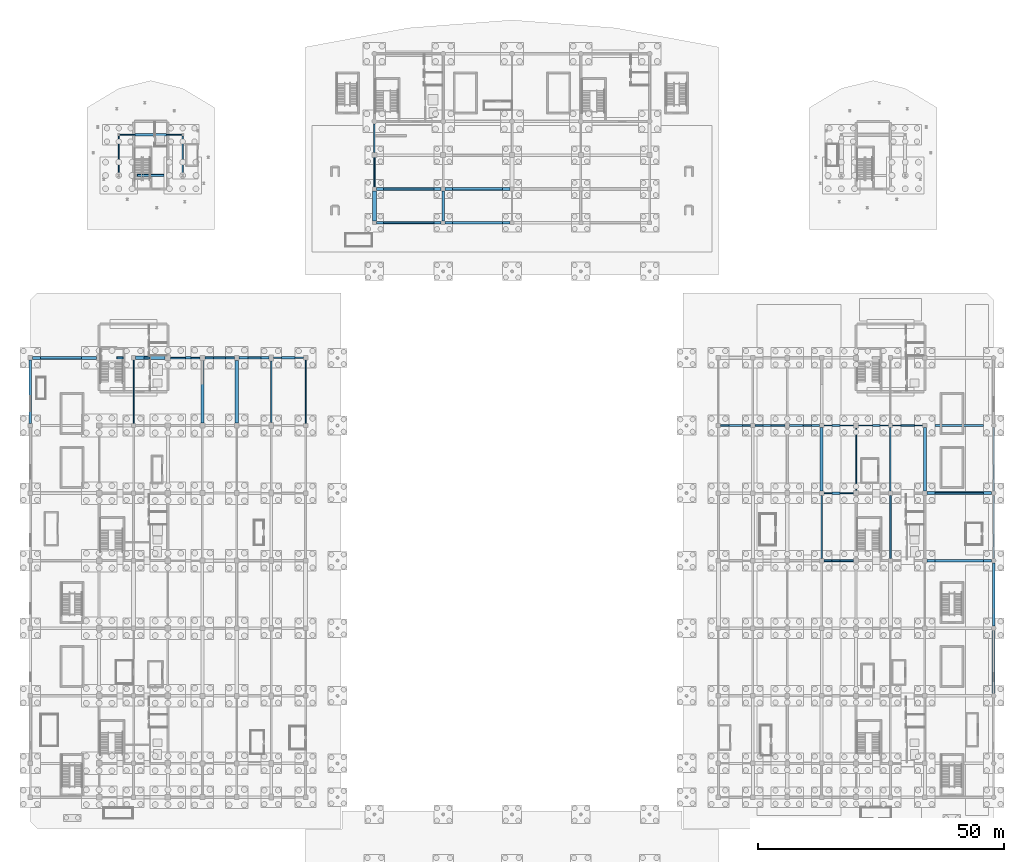
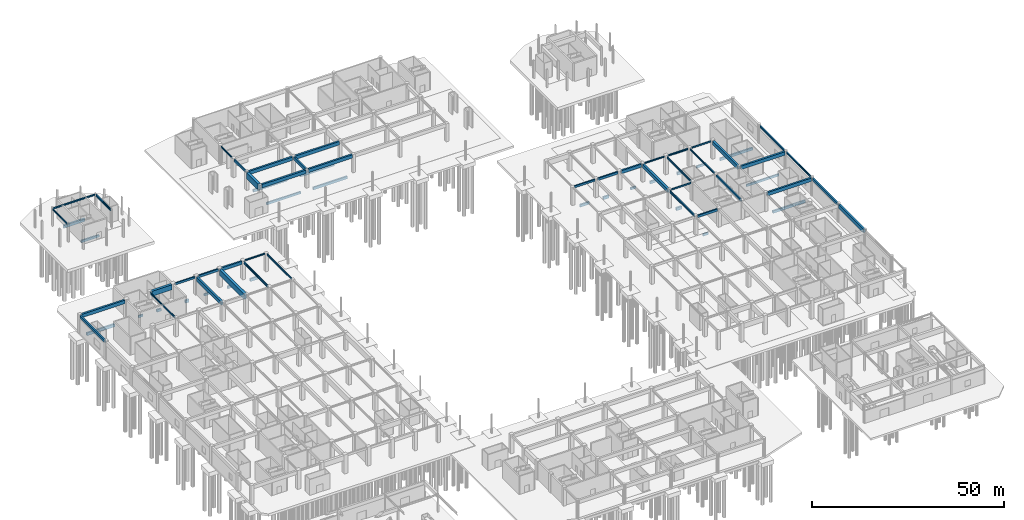
# One storey, part 34 of 62: 67 beams.
"""IFC4 building model written with IfcOpenShell, lengths in metres."""

from ifc_helpers import new_model, si_unit, direction, frame, origin, origin_2d, place, context, subcontext, project, spatial, rectangle, i_section, extrude, material, material_profile, profile_set, type_object, element, save


model = new_model("IFC4")

# Units and contexts
model_context = context("Model", 3, precision=1e-05, world=origin(), true_north=direction((0.0, 1.0)))
body_context = subcontext(model_context, "Body", "Model", "MODEL_VIEW")
ifc_project = project(units=[si_unit("LENGTHUNIT", "METRE"), si_unit("AREAUNIT", "SQUARE_METRE"), si_unit("VOLUMEUNIT", "CUBIC_METRE"), si_unit("PLANEANGLEUNIT", "RADIAN"), si_unit("MASSUNIT", "GRAM", prefix="KILO")], contexts=[model_context])

# Site, building, storey
site_placement = place(None, origin())
site = spatial("IfcSite", under=ifc_project, at=site_placement, CompositionType="ELEMENT")
building_placement = place(site_placement, origin())
building = spatial("IfcBuilding", under=site, at=building_placement, Name="Linyun Crest Stadium", CompositionType="ELEMENT")
storey_placement = place(building_placement, frame((0.0, 0.0, -6.0)))
storey = spatial("IfcBuildingStorey", under=building, at=storey_placement, Name="B1", CompositionType="ELEMENT", Elevation=-6.0)

# Beams
ifc_material_1 = material(Name="Concrete C40", Category="concrete")
ifc_material_profile_1 = material_profile(ifc_material_1, rectangle(XDim=0.35009765625, YDim=0.60009765625, at=origin_2d()), Name="RCB 600x350")
ifc_profile_set_1 = profile_set([ifc_material_profile_1], Name="Concrete C40")
beam_type_1 = type_object("IfcBeamType", Name="B01", PredefinedType="BEAM", material=ifc_profile_set_1)
beam_1_placement = place(storey_placement, frame((-69.449951171875, 43.375, 5.449951171875), z_axis=(1.0, 0.0, 0.0), x_axis=(0.0, 1.0, 0.0)))
element("IfcBeam", 1, at=beam_1_placement, inside=storey, type_object=beam_type_1, Name="Frame beam B01 B1 42", PredefinedType="BEAM", context=body_context, shape_type="SweptSolid", body=[
    extrude(rectangle(XDim=0.35009765625, YDim=0.60009765625, at=origin_2d()), origin(), (0.0, 0.0, 1.0), 5.949951171875),
])
beam_2_placement = place(storey_placement, frame((42.449951171875, 29.625, 5.419921875), z_axis=(1.0, 0.0, 0.0), x_axis=(0.0, 1.0, 0.0)))
element("IfcBeam", 2, at=beam_2_placement, inside=storey, type_object=beam_type_1, Name="Frame beam B01 B1 413", PredefinedType="BEAM", context=body_context, shape_type="SweptSolid", body=[
    extrude(rectangle(XDim=0.35009765625, YDim=0.60009765625, at=origin_2d()), origin(), (0.0, 0.0, 1.0), 6.10009765625),
])
ifc_material_2 = material(Name="Concrete C40", Category="concrete")
ifc_material_profile_2 = material_profile(ifc_material_2, rectangle(XDim=0.35009765625, YDim=0.64990234375, at=origin_2d()), Name="RCB 650x350")
ifc_profile_set_2 = profile_set([ifc_material_profile_2], Name="Concrete C40")
beam_type_2 = type_object("IfcBeamType", Name="B02", PredefinedType="BEAM", material=ifc_profile_set_2)
beam_3_placement = place(storey_placement, frame((77.0, 2.574951171875, 5.39501953125), z_axis=(0.0, 1.0, 0.0), x_axis=(-1.0, 0.0, 0.0)))
element("IfcBeam", 3, at=beam_3_placement, inside=storey, type_object=beam_type_2, Name="Frame beam B02 B1 461", PredefinedType="BEAM", context=body_context, shape_type="SweptSolid", body=[
    extrude(rectangle(XDim=0.35009765625, YDim=0.64990234375, at=origin_2d()), origin(), (0.0, 0.0, 1.0), 12.85009765625),
])
beam_4_placement = place(storey_placement, frame((-28.0, 78.14990234375, 5.425048828125), z_axis=(0.0, 1.0, 0.0), x_axis=(-1.0, 0.0, 0.0)))
element("IfcBeam", 4, at=beam_4_placement, inside=storey, type_object=beam_type_2, Name="Frame beam B02 B1 752", PredefinedType="BEAM", context=body_context, shape_type="SweptSolid", body=[
    extrude(rectangle(XDim=0.35009765625, YDim=0.64990234375, at=origin_2d()), origin(), (0.0, 0.0, 1.0), 5.97509765625),
])
ifc_material_3 = material(Name="Concrete C40", Category="concrete")
ifc_material_profile_3 = material_profile(ifc_material_3, rectangle(XDim=0.39990234375, YDim=0.75, at=origin_2d()), Name="RCB 750x400")
ifc_profile_set_3 = profile_set([ifc_material_profile_3], Name="Concrete C40")
beam_type_3 = type_object("IfcBeamType", Name="B03", PredefinedType="BEAM", material=ifc_profile_set_3)
beam_5_placement = place(storey_placement, frame((-62.5, 43.375, 5.375), z_axis=(1.0, 0.0, 0.0), x_axis=(0.0, 1.0, 0.0)))
element("IfcBeam", 5, at=beam_5_placement, inside=storey, type_object=beam_type_3, Name="Frame beam B03 B1 43", PredefinedType="BEAM", context=body_context, shape_type="SweptSolid", body=[
    extrude(rectangle(XDim=0.39990234375, YDim=0.75, at=origin_2d()), origin(), (0.0, 0.0, 1.0), 6.0),
])
for number, where, z_axis, x_axis, name in (
    (6, (63.449951171875, 2.125, 5.344970703125), (1.0, 0.0, 0.0), (0.0, 1.0, 0.0), "Frame beam B03 B1 406"),
    (7, (49.449951171875, 29.625, 5.344970703125), (1.0, 0.0, 0.0), (0.0, 1.0, 0.0), "Frame beam B03 B1 414"),
):
    element("IfcBeam", number, at=place(storey_placement, frame(where, z_axis=z_axis, x_axis=x_axis)), inside=storey, type_object=beam_type_3, Name=name, PredefinedType="BEAM", context=body_context, shape_type="SweptSolid", body=[
        extrude(rectangle(XDim=0.39990234375, YDim=0.75, at=origin_2d()), origin(), (0.0, 0.0, 1.0), 6.050048828125),
    ])
ifc_material_4 = material(Name="Concrete C40", Category="concrete")
ifc_material_profile_4 = material_profile(ifc_material_4, rectangle(XDim=0.449951171875, YDim=0.85009765625, at=origin_2d()), Name="RCB 850x450")
ifc_profile_set_4 = profile_set([ifc_material_profile_4], Name="Concrete C40")
beam_type_4 = type_object("IfcBeamType", Name="B04", PredefinedType="BEAM", material=ifc_profile_set_4)
for number, where, z_axis, x_axis, name in (
    (8, (-98.0, 30.074951171875, 5.324951171875), (0.0, 1.0, 0.0), (-1.0, 0.0, 0.0), "Frame beam B04 B1 52"),
    (9, (98.0, -11.175048828125, 5.294921875), (0.0, 1.0, 0.0), (-1.0, 0.0, 0.0), "Frame beam B04 B1 471"),
):
    element("IfcBeam", number, at=place(storey_placement, frame(where, z_axis=z_axis, x_axis=x_axis)), inside=storey, type_object=beam_type_4, Name=name, PredefinedType="BEAM", context=body_context, shape_type="SweptSolid", body=[
        extrude(rectangle(XDim=0.449951171875, YDim=0.85009765625, at=origin_2d()), origin(), (0.0, 0.0, 1.0), 12.85009765625),
    ])
beam_6_placement = place(storey_placement, frame((-14.0, 71.27490234375, 5.324951171875), z_axis=(0.0, 1.0, 0.0), x_axis=(-1.0, 0.0, 0.0)))
element("IfcBeam", 10, at=beam_6_placement, inside=storey, type_object=beam_type_4, Name="Frame beam B04 B1 754", PredefinedType="BEAM", context=body_context, shape_type="SweptSolid", body=[
    extrude(rectangle(XDim=0.449951171875, YDim=0.85009765625, at=origin_2d()), origin(), (0.0, 0.0, 1.0), 6.0751953125),
])
ifc_material_5 = material(Name="Concrete C40", Category="concrete")
ifc_material_profile_5 = material_profile(ifc_material_5, rectangle(XDim=0.5, YDim=1.0, at=origin_2d()), Name="RCB 1000x500")
ifc_profile_set_5 = profile_set([ifc_material_profile_5], Name="Concrete C40")
beam_type_5 = type_object("IfcBeamType", Name="B05", PredefinedType="BEAM", material=ifc_profile_set_5)
for number, where, z_axis, x_axis, name in (
    (11, (-55.5, 43.375, 5.25), (1.0, 0.0, 0.0), (0.0, 1.0, 0.0), "Frame beam B05 B1 44"),
    (12, (56.5, 29.625, 5.219970703125), (1.0, 0.0, 0.0), (0.0, 1.0, 0.0), "Frame beam B05 B1 415"),
):
    element("IfcBeam", number, at=place(storey_placement, frame(where, z_axis=z_axis, x_axis=x_axis)), inside=storey, type_object=beam_type_5, Name=name, PredefinedType="BEAM", context=body_context, shape_type="SweptSolid", body=[
        extrude(rectangle(XDim=0.5, YDim=1.0, at=origin_2d()), origin(), (0.0, 0.0, 1.0), 6.050048828125),
    ])
ifc_material_6 = material(Name="Steel Q355C", Category="steel")
ifc_material_profile_6 = material_profile(ifc_material_6, i_section(OverallWidth=0.300048828125, OverallDepth=0.389892578125, WebThickness=0.010009765625, FlangeThickness=0.01611328125, at=origin_2d()), Name="HM 390x300")
ifc_profile_set_6 = profile_set([ifc_material_profile_6], Name="Steel Q355C")
beam_type_6 = type_object("IfcBeamType", Name="B06", PredefinedType="BEAM", material=ifc_profile_set_6)
beam_7_placement = place(storey_placement, frame((-48.550048828125, 43.375, 5.554931640625), z_axis=(1.0, 0.0, 0.0), x_axis=(0.0, 1.0, 0.0)))
element("IfcBeam", 13, at=beam_7_placement, inside=storey, type_object=beam_type_6, Name="Frame beam B06 B1 45", PredefinedType="BEAM", context=body_context, shape_type="SweptSolid", body=[
    extrude(i_section(OverallWidth=0.300048828125, OverallDepth=0.389892578125, WebThickness=0.010009765625, FlangeThickness=0.01611328125, at=origin_2d()), origin(), (0.0, 0.0, 1.0), 6.10009765625),
])
beam_8_placement = place(storey_placement, frame((63.449951171875, 29.625, 5.52490234375), z_axis=(1.0, 0.0, 0.0), x_axis=(0.0, 1.0, 0.0)))
element("IfcBeam", 14, at=beam_8_placement, inside=storey, type_object=beam_type_6, Name="Frame beam B06 B1 416", PredefinedType="BEAM", context=body_context, shape_type="SweptSolid", body=[
    extrude(i_section(OverallWidth=0.300048828125, OverallDepth=0.389892578125, WebThickness=0.010009765625, FlangeThickness=0.01611328125, at=origin_2d()), origin(), (0.0, 0.0, 1.0), 6.050048828125),
])
ifc_material_7 = material(Name="Steel Q355C", Category="steel")
ifc_material_profile_7 = material_profile(ifc_material_7, i_section(OverallWidth=0.300048828125, OverallDepth=0.43994140625, WebThickness=0.010986328125, FlangeThickness=0.01806640625, at=origin_2d()), Name="HM 440x300")
ifc_profile_set_7 = profile_set([ifc_material_profile_7], Name="Steel Q355C")
beam_type_7 = type_object("IfcBeamType", Name="B07", PredefinedType="BEAM", material=ifc_profile_set_7)
beam_9_placement = place(storey_placement, frame((77.0, 16.324951171875, 5.5), z_axis=(0.0, 1.0, 0.0), x_axis=(-1.0, 0.0, 0.0)))
element("IfcBeam", 15, at=beam_9_placement, inside=storey, type_object=beam_type_7, Name="Frame beam B07 B1 462", PredefinedType="BEAM", context=body_context, shape_type="SweptSolid", body=[
    extrude(i_section(OverallWidth=0.300048828125, OverallDepth=0.43994140625, WebThickness=0.010986328125, FlangeThickness=0.01806640625, at=origin_2d()), origin(), (0.0, 0.0, 1.0), 12.85009765625),
])
beam_10_placement = place(storey_placement, frame((-28.0, 85.125, 5.530029296875), z_axis=(0.0, 1.0, 0.0), x_axis=(-1.0, 0.0, 0.0)))
element("IfcBeam", 16, at=beam_10_placement, inside=storey, type_object=beam_type_7, Name="Frame beam B07 B1 753", PredefinedType="BEAM", context=body_context, shape_type="SweptSolid", body=[
    extrude(i_section(OverallWidth=0.300048828125, OverallDepth=0.43994140625, WebThickness=0.010986328125, FlangeThickness=0.01806640625, at=origin_2d()), origin(), (0.0, 0.0, 1.0), 5.875),
])
ifc_material_8 = material(Name="Steel Q355C", Category="steel")
ifc_material_profile_8 = material_profile(ifc_material_8, i_section(OverallWidth=0.300048828125, OverallDepth=0.488037109375, WebThickness=0.010986328125, FlangeThickness=0.01806640625, at=origin_2d()), Name="HM 488x300")
ifc_profile_set_8 = profile_set([ifc_material_profile_8], Name="Steel Q355C")
beam_type_8 = type_object("IfcBeamType", Name="B08", PredefinedType="BEAM", material=ifc_profile_set_8)
beam_11_placement = place(storey_placement, frame((70.5, 29.625, 5.47607421875), z_axis=(1.0, 0.0, 0.0), x_axis=(0.0, 1.0, 0.0)))
element("IfcBeam", 17, at=beam_11_placement, inside=storey, type_object=beam_type_8, Name="Frame beam B08 B1 417", PredefinedType="BEAM", context=body_context, shape_type="SweptSolid", body=[
    extrude(i_section(OverallWidth=0.300048828125, OverallDepth=0.488037109375, WebThickness=0.010986328125, FlangeThickness=0.01806640625, at=origin_2d()), origin(), (0.0, 0.0, 1.0), 6.050048828125),
])
ifc_material_9 = material(Name="Steel Q355C", Category="steel")
ifc_material_profile_9 = material_profile(ifc_material_9, i_section(OverallWidth=0.300048828125, OverallDepth=0.587890625, WebThickness=0.011962890625, FlangeThickness=0.02001953125, at=origin_2d()), Name="HM 588x300")
ifc_profile_set_9 = profile_set([ifc_material_profile_9], Name="Steel Q355C")
beam_type_9 = type_object("IfcBeamType", Name="B09", PredefinedType="BEAM", material=ifc_profile_set_9)
beam_12_placement = place(storey_placement, frame((98.0, 2.574951171875, 5.426025390625), z_axis=(0.0, 1.0, 0.0), x_axis=(-1.0, 0.0, 0.0)))
element("IfcBeam", 18, at=beam_12_placement, inside=storey, type_object=beam_type_9, Name="Frame beam B09 B1 472", PredefinedType="BEAM", context=body_context, shape_type="SweptSolid", body=[
    extrude(i_section(OverallWidth=0.300048828125, OverallDepth=0.587890625, WebThickness=0.011962890625, FlangeThickness=0.02001953125, at=origin_2d()), origin(), (0.0, 0.0, 1.0), 12.85009765625),
])
ifc_material_10 = material(Name="Steel Q355C", Category="steel")
ifc_material_profile_10 = material_profile(ifc_material_10, i_section(OverallWidth=0.199951171875, OverallDepth=0.5, WebThickness=0.010009765625, FlangeThickness=0.01611328125, at=origin_2d()), Name="HN 500x200")
ifc_profile_set_10 = profile_set([ifc_material_profile_10], Name="Steel Q355C")
beam_type_10 = type_object("IfcBeamType", Name="B10", PredefinedType="BEAM", material=ifc_profile_set_10)
beam_13_placement = place(storey_placement, frame((63.449951171875, 15.875, 5.469970703125), z_axis=(1.0, 0.0, 0.0), x_axis=(0.0, 1.0, 0.0)))
element("IfcBeam", 19, at=beam_13_placement, inside=storey, type_object=beam_type_10, Name="Frame beam B10 B1 411", PredefinedType="BEAM", context=body_context, shape_type="SweptSolid", body=[
    extrude(i_section(OverallWidth=0.199951171875, OverallDepth=0.5, WebThickness=0.010009765625, FlangeThickness=0.01611328125, at=origin_2d()), origin(), (0.0, 0.0, 1.0), 6.050048828125),
])
beam_14_placement = place(storey_placement, frame((77.449951171875, 29.625, 5.469970703125), z_axis=(1.0, 0.0, 0.0), x_axis=(0.0, 1.0, 0.0)))
element("IfcBeam", 20, at=beam_14_placement, inside=storey, type_object=beam_type_10, Name="Frame beam B10 B1 418", PredefinedType="BEAM", context=body_context, shape_type="SweptSolid", body=[
    extrude(i_section(OverallWidth=0.199951171875, OverallDepth=0.5, WebThickness=0.010009765625, FlangeThickness=0.01611328125, at=origin_2d()), origin(), (0.0, 0.0, 1.0), 6.10009765625),
])
beam_15_placement = place(storey_placement, frame((-79.7958984375, 88.75, 5.469970703125), z_axis=(1.0, 0.0, 0.0), x_axis=(0.0, 1.0, 0.0)))
element("IfcBeam", 21, at=beam_15_placement, inside=storey, type_object=beam_type_10, Name="Frame beam B10 B1 947", PredefinedType="BEAM", context=body_context, shape_type="SweptSolid", body=[
    extrude(i_section(OverallWidth=0.199951171875, OverallDepth=0.5, WebThickness=0.010009765625, FlangeThickness=0.01611328125, at=origin_2d()), origin(), (0.0, 0.0, 1.0), 12.591796875),
])
ifc_material_11 = material(Name="Steel Q355C", Category="steel")
ifc_material_profile_11 = material_profile(ifc_material_11, i_section(OverallWidth=0.199951171875, OverallDepth=0.60009765625, WebThickness=0.010986328125, FlangeThickness=0.01708984375, at=origin_2d()), Name="HN 600x200")
ifc_profile_set_11 = profile_set([ifc_material_profile_11], Name="Steel Q355C")
beam_type_11 = type_object("IfcBeamType", Name="B11", PredefinedType="BEAM", material=ifc_profile_set_11)
for number, where, z_axis, x_axis, name in (
    (22, (-77.0, 30.074951171875, 5.449951171875), (0.0, 1.0, 0.0), (-1.0, 0.0, 0.0), "Frame beam B11 B1 63"),
    (23, (-42.0, 30.074951171875, 5.449951171875), (0.0, 1.0, 0.0), (-1.0, 0.0, 0.0), "Frame beam B11 B1 95"),
):
    element("IfcBeam", number, at=place(storey_placement, frame(where, z_axis=z_axis, x_axis=x_axis)), inside=storey, type_object=beam_type_11, Name=name, PredefinedType="BEAM", context=body_context, shape_type="SweptSolid", body=[
        extrude(i_section(OverallWidth=0.199951171875, OverallDepth=0.60009765625, WebThickness=0.010986328125, FlangeThickness=0.01708984375, at=origin_2d()), origin(), (0.0, 0.0, 1.0), 12.85009765625),
    ])
beam_16_placement = place(storey_placement, frame((70.0, 16.375, 5.419921875), z_axis=(0.0, 1.0, 0.0), x_axis=(-1.0, 0.0, 0.0)))
element("IfcBeam", 24, at=beam_16_placement, inside=storey, type_object=beam_type_11, Name="Frame beam B11 B1 456", PredefinedType="BEAM", context=body_context, shape_type="SweptSolid", body=[
    extrude(i_section(OverallWidth=0.199951171875, OverallDepth=0.60009765625, WebThickness=0.010986328125, FlangeThickness=0.01708984375, at=origin_2d()), origin(), (0.0, 0.0, 1.0), 12.75),
])
beam_17_placement = place(storey_placement, frame((-80.0, 80.7490234375, 5.419921875), z_axis=(0.0, 1.0, 0.0), x_axis=(-1.0, 0.0, 0.0)))
element("IfcBeam", 25, at=beam_17_placement, inside=storey, type_object=beam_type_11, Name="Frame beam B11 B1 949", PredefinedType="BEAM", context=body_context, shape_type="SweptSolid", body=[
    extrude(i_section(OverallWidth=0.199951171875, OverallDepth=0.60009765625, WebThickness=0.010986328125, FlangeThickness=0.01708984375, at=origin_2d()), origin(), (0.0, 0.0, 1.0), 7.786865234375),
])
ifc_material_12 = material(Name="Steel Q355C", Category="steel")
ifc_material_profile_12 = material_profile(ifc_material_12, i_section(OverallWidth=0.300048828125, OverallDepth=0.699951171875, WebThickness=0.012939453125, FlangeThickness=0.02392578125, at=origin_2d()), Name="HN 700x300")
ifc_profile_set_12 = profile_set([ifc_material_profile_12], Name="Steel Q355C")
beam_type_12 = type_object("IfcBeamType", Name="B12", PredefinedType="BEAM", material=ifc_profile_set_12)
beam_18_placement = place(storey_placement, frame((-49.0, 30.22509765625, 5.39990234375), z_axis=(0.0, 1.0, 0.0), x_axis=(-1.0, 0.0, 0.0)))
element("IfcBeam", 26, at=beam_18_placement, inside=storey, type_object=beam_type_12, Name="Frame beam B12 B1 88", PredefinedType="BEAM", context=body_context, shape_type="SweptSolid", body=[
    extrude(i_section(OverallWidth=0.300048828125, OverallDepth=0.699951171875, WebThickness=0.012939453125, FlangeThickness=0.02392578125, at=origin_2d()), origin(), (0.0, 0.0, 1.0), 12.5498046875),
])
for number, where, z_axis, x_axis, name in (
    (27, (63.0, 2.574951171875, 5.3701171875), (0.0, 1.0, 0.0), (-1.0, 0.0, 0.0), "Frame beam B12 B1 450"),
    (28, (98.0, 16.324951171875, 5.3701171875), (0.0, 1.0, 0.0), (-1.0, 0.0, 0.0), "Frame beam B12 B1 473"),
):
    element("IfcBeam", number, at=place(storey_placement, frame(where, z_axis=z_axis, x_axis=x_axis)), inside=storey, type_object=beam_type_12, Name=name, PredefinedType="BEAM", context=body_context, shape_type="SweptSolid", body=[
        extrude(i_section(OverallWidth=0.300048828125, OverallDepth=0.699951171875, WebThickness=0.012939453125, FlangeThickness=0.02392578125, at=origin_2d()), origin(), (0.0, 0.0, 1.0), 12.85009765625),
    ])
beam_19_placement = place(storey_placement, frame((-67.0, 80.7490234375, 5.3701171875), z_axis=(0.0, 1.0, 0.0), x_axis=(-1.0, 0.0, 0.0)))
element("IfcBeam", 29, at=beam_19_placement, inside=storey, type_object=beam_type_12, Name="Frame beam B12 B1 950", PredefinedType="BEAM", context=body_context, shape_type="SweptSolid", body=[
    extrude(i_section(OverallWidth=0.300048828125, OverallDepth=0.699951171875, WebThickness=0.012939453125, FlangeThickness=0.02392578125, at=origin_2d()), origin(), (0.0, 0.0, 1.0), 7.786865234375),
])
ifc_material_13 = material(Name="Concrete C50", Category="concrete")
ifc_material_profile_13 = material_profile(ifc_material_13, rectangle(XDim=0.699951171875, YDim=1.60009765625, at=origin_2d()), Name="RCB 1600x700")
ifc_profile_set_13 = profile_set([ifc_material_profile_13], Name="Concrete C50")
beam_type_13 = type_object("IfcBeamType", Name="B13", PredefinedType="BEAM", material=ifc_profile_set_13)
beam_20_placement = place(storey_placement, frame((-76.550048828125, 43.375, 4.949951171875), z_axis=(1.0, 0.0, 0.0), x_axis=(0.0, 1.0, 0.0)))
element("IfcBeam", 30, at=beam_20_placement, inside=storey, type_object=beam_type_13, Name="Frame beam B13 B1 41", PredefinedType="BEAM", context=body_context, shape_type="SweptSolid", body=[
    extrude(rectangle(XDim=0.699951171875, YDim=1.60009765625, at=origin_2d()), origin(), (0.0, 0.0, 1.0), 6.0),
])
ifc_material_14 = material(Name="Concrete C50", Category="concrete")
ifc_material_profile_14 = material_profile(ifc_material_14, rectangle(XDim=0.800048828125, YDim=1.800048828125, at=origin_2d()), Name="RCB 1800x800")
ifc_profile_set_14 = profile_set([ifc_material_profile_14], Name="Concrete C50")
beam_type_14 = type_object("IfcBeamType", Name="B14", PredefinedType="BEAM", material=ifc_profile_set_14)
beam_21_placement = place(storey_placement, frame((-56.0, 30.125, 4.85009765625), z_axis=(0.0, 1.0, 0.0), x_axis=(-1.0, 0.0, 0.0)))
element("IfcBeam", 31, at=beam_21_placement, inside=storey, type_object=beam_type_14, Name="Frame beam B14 B1 81", PredefinedType="BEAM", context=body_context, shape_type="SweptSolid", body=[
    extrude(rectangle(XDim=0.800048828125, YDim=1.800048828125, at=origin_2d()), origin(), (0.0, 0.0, 1.0), 12.75),
])
beam_22_placement = place(storey_placement, frame((-28.0, 71.27490234375, 4.85009765625), z_axis=(0.0, 1.0, 0.0), x_axis=(-1.0, 0.0, 0.0)))
element("IfcBeam", 32, at=beam_22_placement, inside=storey, type_object=beam_type_14, Name="Frame beam B14 B1 751", PredefinedType="BEAM", context=body_context, shape_type="SweptSolid", body=[
    extrude(rectangle(XDim=0.800048828125, YDim=1.800048828125, at=origin_2d()), origin(), (0.0, 0.0, 1.0), 6.0751953125),
])
ifc_material_15 = material(Name="Concrete C40", Category="concrete")
ifc_material_profile_15 = material_profile(ifc_material_15, rectangle(XDim=0.39990234375, YDim=0.699951171875, at=origin_2d()), Name="RCB 700x400")
ifc_profile_set_15 = profile_set([ifc_material_profile_15], Name="Concrete C40")
beam_type_15 = type_object("IfcBeamType", Name="GB01", PredefinedType="BEAM", material=ifc_profile_set_15)
beam_23_placement = place(storey_placement, frame((-80.39599609375, 43.375, -1.10009765625), z_axis=(1.0, 0.0, 0.0), x_axis=(0.0, 1.0, 0.0)))
element("IfcBeam", 33, at=beam_23_placement, inside=storey, type_object=beam_type_15, Name="Ground beam GB01 43", PredefinedType="BEAM", context=body_context, shape_type="SweptSolid", body=[
    extrude(rectangle(XDim=0.39990234375, YDim=0.699951171875, at=origin_2d()), origin(), (0.0, 0.0, 1.0), 1.2919921875),
])
beam_24_placement = place(storey_placement, frame((-60.696044921875, 43.375, -1.10009765625), z_axis=(1.0, 0.0, 0.0), x_axis=(0.0, 1.0, 0.0)))
element("IfcBeam", 34, at=beam_24_placement, inside=storey, type_object=beam_type_15, Name="Ground beam GB01 46", PredefinedType="BEAM", context=body_context, shape_type="SweptSolid", body=[
    extrude(rectangle(XDim=0.39990234375, YDim=0.699951171875, at=origin_2d()), origin(), (0.0, 0.0, 1.0), 2.39208984375),
])
beam_25_placement = place(storey_placement, frame((65.10400390625, 2.125, -1.10009765625), z_axis=(1.0, 0.0, 0.0), x_axis=(0.0, 1.0, 0.0)))
element("IfcBeam", 35, at=beam_25_placement, inside=storey, type_object=beam_type_15, Name="Ground beam GB01 76", PredefinedType="BEAM", context=body_context, shape_type="SweptSolid", body=[
    extrude(rectangle(XDim=0.39990234375, YDim=0.699951171875, at=origin_2d()), origin(), (0.0, 0.0, 1.0), 1.592041015625),
])
beam_26_placement = place(storey_placement, frame((86.10400390625, 15.875, -1.10009765625), z_axis=(1.0, 0.0, 0.0), x_axis=(0.0, 1.0, 0.0)))
element("IfcBeam", 36, at=beam_26_placement, inside=storey, type_object=beam_type_15, Name="Ground beam GB01 82", PredefinedType="BEAM", context=body_context, shape_type="SweptSolid", body=[
    extrude(rectangle(XDim=0.39990234375, YDim=0.699951171875, at=origin_2d()), origin(), (0.0, 0.0, 1.0), 9.7919921875),
])
beam_27_placement = place(storey_placement, frame((59.303955078125, 29.625, -1.10009765625), z_axis=(1.0, 0.0, 0.0), x_axis=(0.0, 1.0, 0.0)))
element("IfcBeam", 37, at=beam_27_placement, inside=storey, type_object=beam_type_15, Name="Ground beam GB01 85", PredefinedType="BEAM", context=body_context, shape_type="SweptSolid", body=[
    extrude(rectangle(XDim=0.39990234375, YDim=0.699951171875, at=origin_2d()), origin(), (0.0, 0.0, 1.0), 1.592041015625),
])
beam_28_placement = place(storey_placement, frame((79.10400390625, 29.625, -1.10009765625), z_axis=(1.0, 0.0, 0.0), x_axis=(0.0, 1.0, 0.0)))
element("IfcBeam", 38, at=beam_28_placement, inside=storey, type_object=beam_type_15, Name="Ground beam GB01 88", PredefinedType="BEAM", context=body_context, shape_type="SweptSolid", body=[
    extrude(rectangle(XDim=0.39990234375, YDim=0.699951171875, at=origin_2d()), origin(), (0.0, 0.0, 1.0), 2.7919921875),
])
beam_29_placement = place(storey_placement, frame((-26.095947265625, 70.875, -0.949951171875), z_axis=(1.0, 0.0, 0.0), x_axis=(0.0, 1.0, 0.0)))
element("IfcBeam", 39, at=beam_29_placement, inside=storey, type_object=beam_type_15, Name="Ground beam GB01 97", PredefinedType="BEAM", context=body_context, shape_type="SweptSolid", body=[
    extrude(rectangle(XDim=0.39990234375, YDim=0.699951171875, at=origin_2d()), origin(), (0.0, 0.0, 1.0), 10.19189453125),
])
beam_30_placement = place(storey_placement, frame((-76.196044921875, 80.5, -1.25), z_axis=(1.0, 0.0, 0.0), x_axis=(0.0, 1.0, 0.0)))
element("IfcBeam", 40, at=beam_30_placement, inside=storey, type_object=beam_type_15, Name="Ground beam GB01 133", PredefinedType="BEAM", context=body_context, shape_type="SweptSolid", body=[
    extrude(rectangle(XDim=0.39990234375, YDim=0.699951171875, at=origin_2d()), origin(), (0.0, 0.0, 1.0), 5.39208984375),
])
ifc_material_16 = material(Name="Concrete C40", Category="concrete")
ifc_material_profile_16 = material_profile(ifc_material_16, rectangle(XDim=0.449951171875, YDim=0.800048828125, at=origin_2d()), Name="RCB 800x450")
ifc_profile_set_16 = profile_set([ifc_material_profile_16], Name="Concrete C40")
beam_type_16 = type_object("IfcBeamType", Name="GB02", PredefinedType="BEAM", material=ifc_profile_set_16)
beam_31_placement = place(storey_placement, frame((-74.89599609375, 43.375, -1.14990234375), z_axis=(1.0, 0.0, 0.0), x_axis=(0.0, 1.0, 0.0)))
element("IfcBeam", 41, at=beam_31_placement, inside=storey, type_object=beam_type_16, Name="Ground beam GB02 44", PredefinedType="BEAM", context=body_context, shape_type="SweptSolid", body=[
    extrude(rectangle(XDim=0.449951171875, YDim=0.800048828125, at=origin_2d()), origin(), (0.0, 0.0, 1.0), 1.2919921875),
])
beam_32_placement = place(storey_placement, frame((-53.696044921875, 43.375, -1.14990234375), z_axis=(1.0, 0.0, 0.0), x_axis=(0.0, 1.0, 0.0)))
element("IfcBeam", 42, at=beam_32_placement, inside=storey, type_object=beam_type_16, Name="Ground beam GB02 47", PredefinedType="BEAM", context=body_context, shape_type="SweptSolid", body=[
    extrude(rectangle(XDim=0.449951171875, YDim=0.800048828125, at=origin_2d()), origin(), (0.0, 0.0, 1.0), 2.592041015625),
])
beam_33_placement = place(storey_placement, frame((86.10400390625, 2.125, -1.14990234375), z_axis=(1.0, 0.0, 0.0), x_axis=(0.0, 1.0, 0.0)))
element("IfcBeam", 43, at=beam_33_placement, inside=storey, type_object=beam_type_16, Name="Ground beam GB02 77", PredefinedType="BEAM", context=body_context, shape_type="SweptSolid", body=[
    extrude(rectangle(XDim=0.449951171875, YDim=0.800048828125, at=origin_2d()), origin(), (0.0, 0.0, 1.0), 9.7919921875),
])
beam_34_placement = place(storey_placement, frame((44.10400390625, 29.625, -1.14990234375), z_axis=(1.0, 0.0, 0.0), x_axis=(0.0, 1.0, 0.0)))
element("IfcBeam", 44, at=beam_34_placement, inside=storey, type_object=beam_type_16, Name="Ground beam GB02 83", PredefinedType="BEAM", context=body_context, shape_type="SweptSolid", body=[
    extrude(rectangle(XDim=0.449951171875, YDim=0.800048828125, at=origin_2d()), origin(), (0.0, 0.0, 1.0), 2.7919921875),
])
beam_35_placement = place(storey_placement, frame((65.10400390625, 29.625, -1.14990234375), z_axis=(1.0, 0.0, 0.0), x_axis=(0.0, 1.0, 0.0)))
element("IfcBeam", 45, at=beam_35_placement, inside=storey, type_object=beam_type_16, Name="Ground beam GB02 86", PredefinedType="BEAM", context=body_context, shape_type="SweptSolid", body=[
    extrude(rectangle(XDim=0.449951171875, YDim=0.800048828125, at=origin_2d()), origin(), (0.0, 0.0, 1.0), 1.592041015625),
])
beam_36_placement = place(storey_placement, frame((86.10400390625, 29.625, -1.14990234375), z_axis=(1.0, 0.0, 0.0), x_axis=(0.0, 1.0, 0.0)))
element("IfcBeam", 46, at=beam_36_placement, inside=storey, type_object=beam_type_16, Name="Ground beam GB02 89", PredefinedType="BEAM", context=body_context, shape_type="SweptSolid", body=[
    extrude(rectangle(XDim=0.449951171875, YDim=0.800048828125, at=origin_2d()), origin(), (0.0, 0.0, 1.0), 9.7919921875),
])
for number, where, z_axis, x_axis, name in (
    (47, (-12.095947265625, 70.875, -1.0), (1.0, 0.0, 0.0), (0.0, 1.0, 0.0), "Ground beam GB02 98"),
    (48, (-26.095947265625, 77.75, -1.0), (1.0, 0.0, 0.0), (0.0, 1.0, 0.0), "Ground beam GB02 101"),
):
    element("IfcBeam", number, at=place(storey_placement, frame(where, z_axis=z_axis, x_axis=x_axis)), inside=storey, type_object=beam_type_16, Name=name, PredefinedType="BEAM", context=body_context, shape_type="SweptSolid", body=[
        extrude(rectangle(XDim=0.449951171875, YDim=0.800048828125, at=origin_2d()), origin(), (0.0, 0.0, 1.0), 10.19189453125),
    ])
ifc_material_17 = material(Name="Concrete C40", Category="concrete")
ifc_material_profile_17 = material_profile(ifc_material_17, rectangle(XDim=0.5, YDim=0.89990234375, at=origin_2d()), Name="RCB 900x500")
ifc_profile_set_17 = profile_set([ifc_material_profile_17], Name="Concrete C40")
beam_type_17 = type_object("IfcBeamType", Name="GB03", PredefinedType="BEAM", material=ifc_profile_set_17)
beam_37_placement = place(storey_placement, frame((-95.89599609375, 43.375, -1.199951171875), z_axis=(1.0, 0.0, 0.0), x_axis=(0.0, 1.0, 0.0)))
element("IfcBeam", 49, at=beam_37_placement, inside=storey, type_object=beam_type_17, Name="Ground beam GB03 42", PredefinedType="BEAM", context=body_context, shape_type="SweptSolid", body=[
    extrude(rectangle(XDim=0.5, YDim=0.89990234375, at=origin_2d()), origin(), (0.0, 0.0, 1.0), 8.2919921875),
])
beam_38_placement = place(storey_placement, frame((-66.39599609375, 43.375, -1.199951171875), z_axis=(1.0, 0.0, 0.0), x_axis=(0.0, 1.0, 0.0)))
element("IfcBeam", 50, at=beam_38_placement, inside=storey, type_object=beam_type_17, Name="Ground beam GB03 45", PredefinedType="BEAM", context=body_context, shape_type="SweptSolid", body=[
    extrude(rectangle(XDim=0.5, YDim=0.89990234375, at=origin_2d()), origin(), (0.0, 0.0, 1.0), 1.092041015625),
])
beam_39_placement = place(storey_placement, frame((-46.89599609375, 43.375, -1.199951171875), z_axis=(1.0, 0.0, 0.0), x_axis=(0.0, 1.0, 0.0)))
element("IfcBeam", 51, at=beam_39_placement, inside=storey, type_object=beam_type_17, Name="Ground beam GB03 48", PredefinedType="BEAM", context=body_context, shape_type="SweptSolid", body=[
    extrude(rectangle(XDim=0.5, YDim=0.89990234375, at=origin_2d()), origin(), (0.0, 0.0, 1.0), 2.7919921875),
])
for number, where, z_axis, x_axis, name in (
    (52, (65.10400390625, 15.875, -1.199951171875), (1.0, 0.0, 0.0), (0.0, 1.0, 0.0), "Ground beam GB03 81"),
    (53, (51.10400390625, 29.625, -1.199951171875), (1.0, 0.0, 0.0), (0.0, 1.0, 0.0), "Ground beam GB03 84"),
    (54, (73.303955078125, 29.625, -1.199951171875), (1.0, 0.0, 0.0), (0.0, 1.0, 0.0), "Ground beam GB03 87"),
):
    element("IfcBeam", number, at=place(storey_placement, frame(where, z_axis=z_axis, x_axis=x_axis)), inside=storey, type_object=beam_type_17, Name=name, PredefinedType="BEAM", context=body_context, shape_type="SweptSolid", body=[
        extrude(rectangle(XDim=0.5, YDim=0.89990234375, at=origin_2d()), origin(), (0.0, 0.0, 1.0), 1.592041015625),
    ])
beam_40_placement = place(storey_placement, frame((-12.095947265625, 77.75, -1.050048828125), z_axis=(1.0, 0.0, 0.0), x_axis=(0.0, 1.0, 0.0)))
element("IfcBeam", 55, at=beam_40_placement, inside=storey, type_object=beam_type_17, Name="Ground beam GB03 102", PredefinedType="BEAM", context=body_context, shape_type="SweptSolid", body=[
    extrude(rectangle(XDim=0.5, YDim=0.89990234375, at=origin_2d()), origin(), (0.0, 0.0, 1.0), 10.19189453125),
])
beam_41_placement = place(storey_placement, frame((-76.696044921875, 88.75, -1.35009765625), z_axis=(1.0, 0.0, 0.0), x_axis=(0.0, 1.0, 0.0)))
element("IfcBeam", 56, at=beam_41_placement, inside=storey, type_object=beam_type_17, Name="Ground beam GB03 135", PredefinedType="BEAM", context=body_context, shape_type="SweptSolid", body=[
    extrude(rectangle(XDim=0.5, YDim=0.89990234375, at=origin_2d()), origin(), (0.0, 0.0, 1.0), 6.39208984375),
])
ifc_material_18 = material(Name="Concrete C50", Category="concrete")
ifc_material_profile_18 = material_profile(ifc_material_18, rectangle(XDim=0.550048828125, YDim=1.10009765625, at=origin_2d()), Name="RCB 1100x550")
ifc_profile_set_18 = profile_set([ifc_material_profile_18], Name="Concrete C50")
beam_type_18 = type_object("IfcBeamType", Name="TB01", PredefinedType="USERDEFINED", material=ifc_profile_set_18)
beam_42_placement = place(storey_placement, frame((-97.550048828125, 43.375, 5.199951171875), z_axis=(1.0, 0.0, 0.0), x_axis=(0.0, 1.0, 0.0)))
element("IfcBeam", 57, at=beam_42_placement, inside=storey, type_object=beam_type_18, Name="Frame beam TB01 B1 40", ObjectType="GIRDER", PredefinedType="USERDEFINED", context=body_context, shape_type="SweptSolid", body=[
    extrude(rectangle(XDim=0.550048828125, YDim=1.10009765625, at=origin_2d()), origin(), (0.0, 0.0, 1.0), 13.0),
])
for number, where, z_axis, x_axis, name in (
    (58, (84.449951171875, 2.125, 5.169921875), (1.0, 0.0, 0.0), (0.0, 1.0, 0.0), "Frame beam TB01 B1 407"),
    (59, (84.449951171875, 15.875, 5.169921875), (1.0, 0.0, 0.0), (0.0, 1.0, 0.0), "Frame beam TB01 B1 412"),
):
    element("IfcBeam", number, at=place(storey_placement, frame(where, z_axis=z_axis, x_axis=x_axis)), inside=storey, type_object=beam_type_18, Name=name, ObjectType="GIRDER", PredefinedType="USERDEFINED", context=body_context, shape_type="SweptSolid", body=[
        extrude(rectangle(XDim=0.550048828125, YDim=1.10009765625, at=origin_2d()), origin(), (0.0, 0.0, 1.0), 13.10009765625),
    ])
for number, where, z_axis, x_axis, name in (
    (60, (-27.60009765625, 70.875, 5.199951171875), (1.0, 0.0, 0.0), (0.0, 1.0, 0.0), "Frame beam TB01 B1 735"),
    (61, (-13.60009765625, 70.875, 5.199951171875), (1.0, 0.0, 0.0), (0.0, 1.0, 0.0), "Frame beam TB01 B1 736"),
    (62, (-27.60009765625, 77.75, 5.199951171875), (1.0, 0.0, 0.0), (0.0, 1.0, 0.0), "Frame beam TB01 B1 739"),
    (63, (-13.60009765625, 77.75, 5.199951171875), (1.0, 0.0, 0.0), (0.0, 1.0, 0.0), "Frame beam TB01 B1 740"),
):
    element("IfcBeam", number, at=place(storey_placement, frame(where, z_axis=z_axis, x_axis=x_axis)), inside=storey, type_object=beam_type_18, Name=name, ObjectType="GIRDER", PredefinedType="USERDEFINED", context=body_context, shape_type="SweptSolid", body=[
        extrude(rectangle(XDim=0.550048828125, YDim=1.10009765625, at=origin_2d()), origin(), (0.0, 0.0, 1.0), 13.2001953125),
    ])
ifc_material_19 = material(Name="Concrete C50", Category="concrete")
ifc_material_profile_19 = material_profile(ifc_material_19, rectangle(XDim=0.60009765625, YDim=1.199951171875, at=origin_2d()), Name="RCB 1200x600")
ifc_profile_set_19 = profile_set([ifc_material_profile_19], Name="Concrete C50")
beam_type_19 = type_object("IfcBeamType", Name="TB02", PredefinedType="USERDEFINED", material=ifc_profile_set_19)
beam_43_placement = place(storey_placement, frame((-63.0, 30.125, 5.14990234375), z_axis=(0.0, 1.0, 0.0), x_axis=(-1.0, 0.0, 0.0)))
element("IfcBeam", 64, at=beam_43_placement, inside=storey, type_object=beam_type_19, Name="Frame beam TB02 B1 74", ObjectType="GIRDER", PredefinedType="USERDEFINED", context=body_context, shape_type="SweptSolid", body=[
    extrude(rectangle(XDim=0.60009765625, YDim=1.199951171875, at=origin_2d()), origin(), (0.0, 0.0, 1.0), 12.75),
])
for number, where, z_axis, x_axis, name in (
    (65, (63.0, 16.324951171875, 5.1201171875), (0.0, 1.0, 0.0), (-1.0, 0.0, 0.0), "Frame beam TB02 B1 451"),
    (66, (84.0, 16.324951171875, 5.1201171875), (0.0, 1.0, 0.0), (-1.0, 0.0, 0.0), "Frame beam TB02 B1 467"),
    (67, (98.0, -24.925048828125, 5.1201171875), (0.0, 1.0, 0.0), (-1.0, 0.0, 0.0), "Frame beam TB02 B1 470"),
):
    element("IfcBeam", number, at=place(storey_placement, frame(where, z_axis=z_axis, x_axis=x_axis)), inside=storey, type_object=beam_type_19, Name=name, ObjectType="GIRDER", PredefinedType="USERDEFINED", context=body_context, shape_type="SweptSolid", body=[
        extrude(rectangle(XDim=0.60009765625, YDim=1.199951171875, at=origin_2d()), origin(), (0.0, 0.0, 1.0), 12.85009765625),
    ])

save(model, "model.ifc")
